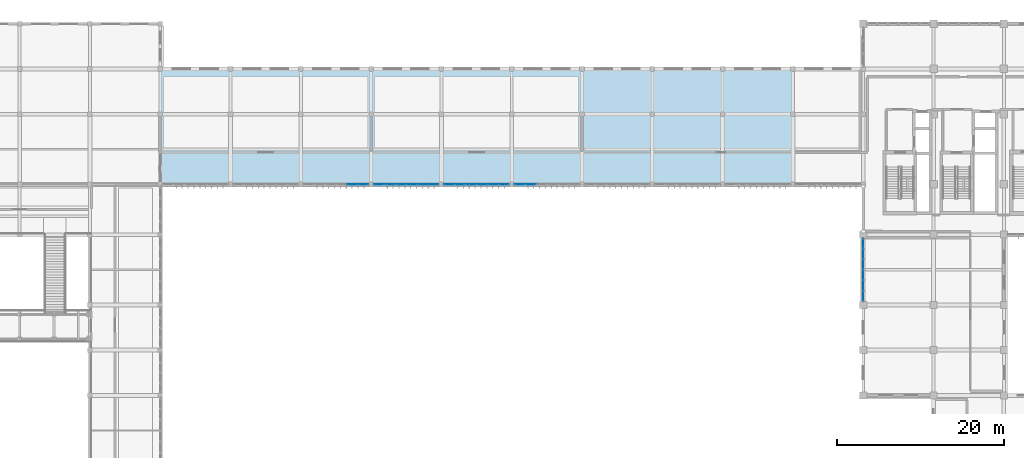
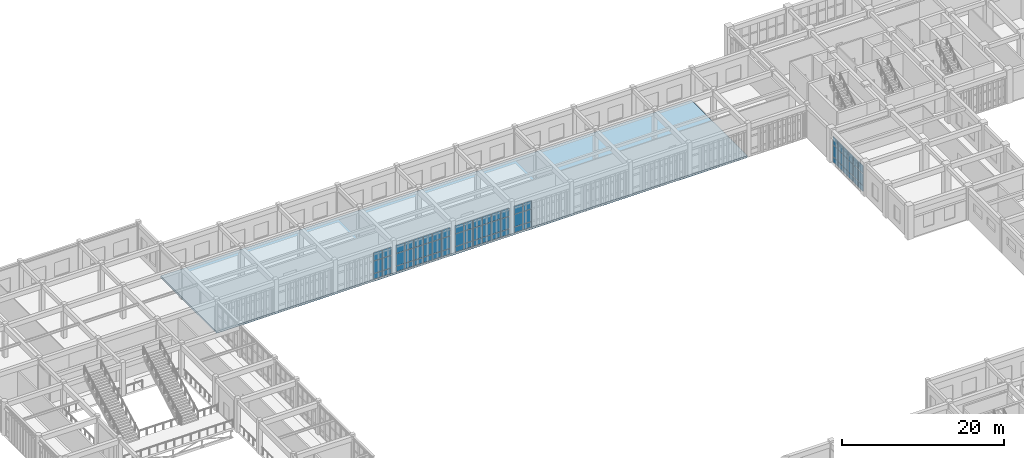
# One storey, part 74 of 106: 66 plates, 1 slab, 5 elements without a shape of their own.
"""IFC4 building model written with IfcOpenShell, lengths in metres."""

from ifc_helpers import new_model, si_unit, direction, frame, origin, origin_2d, place, context, subcontext, project, spatial, polyline, rectangle, outline, extrude, material, layer, layer_set, type_object, element, aggregate, save


model = new_model("IFC4")

# Units and contexts
model_context = context("Model", 3, precision=1e-05, world=origin(), true_north=direction((0.0, 1.0)))
body_context = subcontext(model_context, "Body", "Model", "MODEL_VIEW")
ifc_project = project(units=[si_unit("LENGTHUNIT", "METRE"), si_unit("AREAUNIT", "SQUARE_METRE"), si_unit("VOLUMEUNIT", "CUBIC_METRE"), si_unit("PLANEANGLEUNIT", "RADIAN"), si_unit("MASSUNIT", "GRAM", prefix="KILO")], contexts=[model_context])

# Site, building, storey
site_placement = place(None, origin())
site = spatial("IfcSite", under=ifc_project, at=site_placement, CompositionType="ELEMENT")
building_placement = place(site_placement, origin())
building = spatial("IfcBuilding", under=site, at=building_placement, Name="Krzemoval Escarpment Law Courts", CompositionType="ELEMENT")
storey_placement = place(building_placement, frame((0.0, 0.0, 5.10009765625)))
storey = spatial("IfcBuildingStorey", under=building, at=storey_placement, Name="L01", CompositionType="ELEMENT", Elevation=5.10009765625)

# Curtain wall, plates
ifc_material_1 = material(Name="Aluminium 6063-T6", Category="aluminium")
ifc_layer_1 = layer(ifc_material_1, 0.239990234375)
ifc_layer_set_1 = layer_set([ifc_layer_1], Name="Aluminium 6063-T6")
curtain_wall_type_1 = type_object("IfcCurtainWallType", Name="CW-CHMB-4800", PredefinedType="USERDEFINED", material=ifc_layer_set_1)
curtain_wall_1_placement = place(storey_placement, origin())
curtain_wall_1 = element("IfcCurtainWall", 1, at=curtain_wall_1_placement, inside=storey, type_object=curtain_wall_type_1, Name="Unitised Curtain Wall FCW-L01-045", ObjectType="UNITISED_CURTAIN_WALL", PredefinedType="USERDEFINED")
ifc_material_2 = material(Name="Triple Glazing IGU", Category="glass")
ifc_layer_2 = layer(ifc_material_2, 0.048095703125)
ifc_layer_set_2 = layer_set([ifc_layer_2], Name="Triple Glazing IGU")
plate_type_1 = type_object("IfcPlateType", Name="CWP-GLZ-48", PredefinedType="CURTAIN_PANEL", material=ifc_layer_set_2)
plate_1_placement = place(storey_placement, frame((126.0, 86.27294921875, 0.074951171875), z_axis=(0.0, 0.0, 1.0), x_axis=(0.0, 1.0, 0.0)))
plate_1 = element("IfcPlate", 2, at=plate_1_placement, type_object=plate_type_1, Name="FCW-L01-045 panel 1.1", PredefinedType="CURTAIN_PANEL", context=body_context, shape_type="SweptSolid", body=[
    extrude(rectangle(XDim=1.145751953125, YDim=0.048095703125, at=origin_2d()), origin(), (0.0, 0.0, 1.0), 0.78759765625),
])
plate_2_placement = place(storey_placement, frame((126.0, 86.27294921875, 0.937255859375), z_axis=(0.0, 0.0, 1.0), x_axis=(0.0, 1.0, 0.0)))
plate_2 = element("IfcPlate", 3, at=plate_2_placement, type_object=plate_type_1, Name="FCW-L01-045 panel 1.2", PredefinedType="CURTAIN_PANEL", context=body_context, shape_type="SweptSolid", body=[
    extrude(rectangle(XDim=1.145751953125, YDim=0.048095703125, at=origin_2d()), origin(), (0.0, 0.0, 1.0), 1.72509765625),
])
plate_3_placement = place(storey_placement, frame((126.0, 86.27294921875, 2.7373046875), z_axis=(0.0, 0.0, 1.0), x_axis=(0.0, 1.0, 0.0)))
plate_3 = element("IfcPlate", 4, at=plate_3_placement, type_object=plate_type_1, Name="FCW-L01-045 panel 1.3", PredefinedType="CURTAIN_PANEL", context=body_context, shape_type="SweptSolid", body=[
    extrude(rectangle(XDim=1.145751953125, YDim=0.048095703125, at=origin_2d()), origin(), (0.0, 0.0, 1.0), 1.20751953125),
])
plate_4_placement = place(storey_placement, frame((126.0, 87.512451171875, 0.074951171875), z_axis=(0.0, 0.0, 1.0), x_axis=(0.0, 1.0, 0.0)))
plate_4 = element("IfcPlate", 5, at=plate_4_placement, type_object=plate_type_1, Name="FCW-L01-045 panel 2.1", PredefinedType="CURTAIN_PANEL", context=body_context, shape_type="SweptSolid", body=[
    extrude(rectangle(XDim=1.183349609375, YDim=0.048095703125, at=origin_2d()), origin(), (0.0, 0.0, 1.0), 0.78759765625),
])
plate_5_placement = place(storey_placement, frame((126.0, 87.512451171875, 0.937255859375), z_axis=(0.0, 0.0, 1.0), x_axis=(0.0, 1.0, 0.0)))
plate_5 = element("IfcPlate", 6, at=plate_5_placement, type_object=plate_type_1, Name="FCW-L01-045 panel 2.2", PredefinedType="CURTAIN_PANEL", context=body_context, shape_type="SweptSolid", body=[
    extrude(rectangle(XDim=1.183349609375, YDim=0.048095703125, at=origin_2d()), origin(), (0.0, 0.0, 1.0), 1.72509765625),
])
plate_6_placement = place(storey_placement, frame((126.0, 87.512451171875, 2.7373046875), z_axis=(0.0, 0.0, 1.0), x_axis=(0.0, 1.0, 0.0)))
plate_6 = element("IfcPlate", 7, at=plate_6_placement, type_object=plate_type_1, Name="FCW-L01-045 panel 2.3", PredefinedType="CURTAIN_PANEL", context=body_context, shape_type="SweptSolid", body=[
    extrude(rectangle(XDim=1.183349609375, YDim=0.048095703125, at=origin_2d()), origin(), (0.0, 0.0, 1.0), 1.20751953125),
])
plate_7_placement = place(storey_placement, frame((126.0, 88.770751953125, 0.074951171875), z_axis=(0.0, 0.0, 1.0), x_axis=(0.0, 1.0, 0.0)))
plate_7 = element("IfcPlate", 8, at=plate_7_placement, type_object=plate_type_1, Name="FCW-L01-045 panel 3.1", PredefinedType="CURTAIN_PANEL", context=body_context, shape_type="SweptSolid", body=[
    extrude(rectangle(XDim=1.183349609375, YDim=0.048095703125, at=origin_2d()), origin(), (0.0, 0.0, 1.0), 0.78759765625),
])
plate_8_placement = place(storey_placement, frame((126.0, 88.770751953125, 0.937255859375), z_axis=(0.0, 0.0, 1.0), x_axis=(0.0, 1.0, 0.0)))
plate_8 = element("IfcPlate", 9, at=plate_8_placement, type_object=plate_type_1, Name="FCW-L01-045 panel 3.2", PredefinedType="CURTAIN_PANEL", context=body_context, shape_type="SweptSolid", body=[
    extrude(rectangle(XDim=1.183349609375, YDim=0.048095703125, at=origin_2d()), origin(), (0.0, 0.0, 1.0), 1.72509765625),
])
plate_9_placement = place(storey_placement, frame((126.0, 88.770751953125, 2.7373046875), z_axis=(0.0, 0.0, 1.0), x_axis=(0.0, 1.0, 0.0)))
plate_9 = element("IfcPlate", 10, at=plate_9_placement, type_object=plate_type_1, Name="FCW-L01-045 panel 3.3", PredefinedType="CURTAIN_PANEL", context=body_context, shape_type="SweptSolid", body=[
    extrude(rectangle(XDim=1.183349609375, YDim=0.048095703125, at=origin_2d()), origin(), (0.0, 0.0, 1.0), 1.20751953125),
])
plate_10_placement = place(storey_placement, frame((126.0, 90.029052734375, 0.074951171875), z_axis=(0.0, 0.0, 1.0), x_axis=(0.0, 1.0, 0.0)))
plate_10 = element("IfcPlate", 11, at=plate_10_placement, type_object=plate_type_1, Name="FCW-L01-045 panel 4.1", PredefinedType="CURTAIN_PANEL", context=body_context, shape_type="SweptSolid", body=[
    extrude(rectangle(XDim=1.183349609375, YDim=0.048095703125, at=origin_2d()), origin(), (0.0, 0.0, 1.0), 0.78759765625),
])
plate_11_placement = place(storey_placement, frame((126.0, 90.029052734375, 0.937255859375), z_axis=(0.0, 0.0, 1.0), x_axis=(0.0, 1.0, 0.0)))
plate_11 = element("IfcPlate", 12, at=plate_11_placement, type_object=plate_type_1, Name="FCW-L01-045 panel 4.2", PredefinedType="CURTAIN_PANEL", context=body_context, shape_type="SweptSolid", body=[
    extrude(rectangle(XDim=1.183349609375, YDim=0.048095703125, at=origin_2d()), origin(), (0.0, 0.0, 1.0), 1.72509765625),
])
plate_12_placement = place(storey_placement, frame((126.0, 90.029052734375, 2.7373046875), z_axis=(0.0, 0.0, 1.0), x_axis=(0.0, 1.0, 0.0)))
plate_12 = element("IfcPlate", 13, at=plate_12_placement, type_object=plate_type_1, Name="FCW-L01-045 panel 4.3", PredefinedType="CURTAIN_PANEL", context=body_context, shape_type="SweptSolid", body=[
    extrude(rectangle(XDim=1.183349609375, YDim=0.048095703125, at=origin_2d()), origin(), (0.0, 0.0, 1.0), 1.20751953125),
])
plate_13_placement = place(storey_placement, frame((126.0, 91.28759765625, 0.074951171875), z_axis=(0.0, 0.0, 1.0), x_axis=(0.0, 1.0, 0.0)))
plate_13 = element("IfcPlate", 14, at=plate_13_placement, type_object=plate_type_1, Name="FCW-L01-045 panel 5.1", PredefinedType="CURTAIN_PANEL", context=body_context, shape_type="SweptSolid", body=[
    extrude(rectangle(XDim=1.183349609375, YDim=0.048095703125, at=origin_2d()), origin(), (0.0, 0.0, 1.0), 0.78759765625),
])
plate_14_placement = place(storey_placement, frame((126.0, 91.28759765625, 0.937255859375), z_axis=(0.0, 0.0, 1.0), x_axis=(0.0, 1.0, 0.0)))
plate_14 = element("IfcPlate", 15, at=plate_14_placement, type_object=plate_type_1, Name="FCW-L01-045 panel 5.2", PredefinedType="CURTAIN_PANEL", context=body_context, shape_type="SweptSolid", body=[
    extrude(rectangle(XDim=1.183349609375, YDim=0.048095703125, at=origin_2d()), origin(), (0.0, 0.0, 1.0), 1.72509765625),
])
plate_15_placement = place(storey_placement, frame((126.0, 91.28759765625, 2.7373046875), z_axis=(0.0, 0.0, 1.0), x_axis=(0.0, 1.0, 0.0)))
plate_15 = element("IfcPlate", 16, at=plate_15_placement, type_object=plate_type_1, Name="FCW-L01-045 panel 5.3", PredefinedType="CURTAIN_PANEL", context=body_context, shape_type="SweptSolid", body=[
    extrude(rectangle(XDim=1.183349609375, YDim=0.048095703125, at=origin_2d()), origin(), (0.0, 0.0, 1.0), 1.20751953125),
])
plate_16_placement = place(storey_placement, frame((126.0, 92.527099609375, 0.074951171875), z_axis=(0.0, 0.0, 1.0), x_axis=(0.0, 1.0, 0.0)))
plate_16 = element("IfcPlate", 17, at=plate_16_placement, type_object=plate_type_1, Name="FCW-L01-045 panel 6.1", PredefinedType="CURTAIN_PANEL", context=body_context, shape_type="SweptSolid", body=[
    extrude(rectangle(XDim=1.145751953125, YDim=0.048095703125, at=origin_2d()), origin(), (0.0, 0.0, 1.0), 0.78759765625),
])
plate_17_placement = place(storey_placement, frame((126.0, 92.527099609375, 0.937255859375), z_axis=(0.0, 0.0, 1.0), x_axis=(0.0, 1.0, 0.0)))
plate_17 = element("IfcPlate", 18, at=plate_17_placement, type_object=plate_type_1, Name="FCW-L01-045 panel 6.2", PredefinedType="CURTAIN_PANEL", context=body_context, shape_type="SweptSolid", body=[
    extrude(rectangle(XDim=1.145751953125, YDim=0.048095703125, at=origin_2d()), origin(), (0.0, 0.0, 1.0), 1.72509765625),
])
plate_18_placement = place(storey_placement, frame((126.0, 92.527099609375, 2.7373046875), z_axis=(0.0, 0.0, 1.0), x_axis=(0.0, 1.0, 0.0)))
plate_18 = element("IfcPlate", 19, at=plate_18_placement, type_object=plate_type_1, Name="FCW-L01-045 panel 6.3", PredefinedType="CURTAIN_PANEL", context=body_context, shape_type="SweptSolid", body=[
    extrude(rectangle(XDim=1.145751953125, YDim=0.048095703125, at=origin_2d()), origin(), (0.0, 0.0, 1.0), 1.20751953125),
])
aggregate(curtain_wall_1, [plate_1, plate_2, plate_3, plate_4, plate_5, plate_6, plate_7, plate_8, plate_9, plate_10, plate_11, plate_12, plate_13, plate_14, plate_15, plate_16, plate_17, plate_18])

ifc_material_3 = material(Name="Aluminium 6063-T6", Category="aluminium")
ifc_layer_3 = layer(ifc_material_3, 0.280029296875)
ifc_layer_set_3 = layer_set([ifc_layer_3], Name="Aluminium 6063-T6")
curtain_wall_type_2 = type_object("IfcCurtainWallType", Name="CW-HALL-5100", PredefinedType="USERDEFINED", material=ifc_layer_set_3)
curtain_wall_2_placement = place(storey_placement, origin())
curtain_wall_2 = element("IfcCurtainWall", 20, at=curtain_wall_2_placement, inside=storey, type_object=curtain_wall_type_2, Name="Unitised Curtain Wall FCW-L01-050", ObjectType="UNITISED_CURTAIN_WALL", PredefinedType="USERDEFINED")
ifc_material_4 = material(Name="Triple Glazing IGU", Category="glass")
ifc_layer_4 = layer(ifc_material_4, 0.053955078125)
ifc_layer_set_4 = layer_set([ifc_layer_4], Name="Triple Glazing IGU")
plate_type_2 = type_object("IfcPlateType", Name="CWP-GLZ-54", PredefinedType="CURTAIN_PANEL", material=ifc_layer_set_4)
plate_19_placement = place(storey_placement, frame((86.237548828125, 99.60009765625, 0.0849609375), z_axis=(0.0, 0.0, 1.0), x_axis=(-1.0, 0.0, 0.0)))
plate_19 = element("IfcPlate", 21, at=plate_19_placement, type_object=plate_type_2, Name="FCW-L01-050 panel 5.1", PredefinedType="CURTAIN_PANEL", context=body_context, shape_type="SweptSolid", body=[
    extrude(rectangle(XDim=1.223388671875, YDim=0.053955078125, at=origin_2d()), origin(), (0.0, 0.0, 1.0), 0.7724609375),
])
plate_20_placement = place(storey_placement, frame((86.237548828125, 99.60009765625, 0.9423828125), z_axis=(0.0, 0.0, 1.0), x_axis=(-1.0, 0.0, 0.0)))
plate_20 = element("IfcPlate", 22, at=plate_20_placement, type_object=plate_type_2, Name="FCW-L01-050 panel 5.2", PredefinedType="CURTAIN_PANEL", context=body_context, shape_type="SweptSolid", body=[
    extrude(rectangle(XDim=1.223388671875, YDim=0.053955078125, at=origin_2d()), origin(), (0.0, 0.0, 1.0), 1.81494140625),
])
plate_21_placement = place(storey_placement, frame((86.237548828125, 99.60009765625, 2.842529296875), z_axis=(0.0, 0.0, 1.0), x_axis=(-1.0, 0.0, 0.0)))
plate_21 = element("IfcPlate", 23, at=plate_21_placement, type_object=plate_type_2, Name="FCW-L01-050 panel 5.3", PredefinedType="CURTAIN_PANEL", context=body_context, shape_type="SweptSolid", body=[
    extrude(rectangle(XDim=1.223388671875, YDim=0.053955078125, at=origin_2d()), origin(), (0.0, 0.0, 1.0), 1.1923828125),
])
plate_22_placement = place(storey_placement, frame((84.950439453125, 99.60009765625, 0.0849609375), z_axis=(0.0, 0.0, 1.0), x_axis=(-1.0, 0.0, 0.0)))
plate_22 = element("IfcPlate", 24, at=plate_22_placement, type_object=plate_type_2, Name="FCW-L01-050 panel 6.1", PredefinedType="CURTAIN_PANEL", context=body_context, shape_type="SweptSolid", body=[
    extrude(rectangle(XDim=1.180908203125, YDim=0.053955078125, at=origin_2d()), origin(), (0.0, 0.0, 1.0), 0.7724609375),
])
plate_23_placement = place(storey_placement, frame((84.950439453125, 99.60009765625, 0.9423828125), z_axis=(0.0, 0.0, 1.0), x_axis=(-1.0, 0.0, 0.0)))
plate_23 = element("IfcPlate", 25, at=plate_23_placement, type_object=plate_type_2, Name="FCW-L01-050 panel 6.2", PredefinedType="CURTAIN_PANEL", context=body_context, shape_type="SweptSolid", body=[
    extrude(rectangle(XDim=1.180908203125, YDim=0.053955078125, at=origin_2d()), origin(), (0.0, 0.0, 1.0), 1.81494140625),
])
plate_24_placement = place(storey_placement, frame((84.950439453125, 99.60009765625, 2.842529296875), z_axis=(0.0, 0.0, 1.0), x_axis=(-1.0, 0.0, 0.0)))
plate_24 = element("IfcPlate", 26, at=plate_24_placement, type_object=plate_type_2, Name="FCW-L01-050 panel 6.3", PredefinedType="CURTAIN_PANEL", context=body_context, shape_type="SweptSolid", body=[
    extrude(rectangle(XDim=1.180908203125, YDim=0.053955078125, at=origin_2d()), origin(), (0.0, 0.0, 1.0), 1.1923828125),
])
aggregate(curtain_wall_2, [plate_19, plate_20, plate_21, plate_22, plate_23, plate_24])

curtain_wall_3_placement = place(storey_placement, origin())
curtain_wall_3 = element("IfcCurtainWall", 27, at=curtain_wall_3_placement, inside=storey, type_object=curtain_wall_type_2, Name="Unitised Curtain Wall FCW-L01-051", ObjectType="UNITISED_CURTAIN_WALL", PredefinedType="USERDEFINED")
plate_25_placement = place(storey_placement, frame((83.049560546875, 99.60009765625, 0.0849609375), z_axis=(0.0, 0.0, 1.0), x_axis=(-1.0, 0.0, 0.0)))
plate_25 = element("IfcPlate", 28, at=plate_25_placement, type_object=plate_type_2, Name="FCW-L01-051 panel 1.1", PredefinedType="CURTAIN_PANEL", context=body_context, shape_type="SweptSolid", body=[
    extrude(rectangle(XDim=1.180908203125, YDim=0.053955078125, at=origin_2d()), origin(), (0.0, 0.0, 1.0), 0.7724609375),
])
plate_26_placement = place(storey_placement, frame((83.049560546875, 99.60009765625, 0.9423828125), z_axis=(0.0, 0.0, 1.0), x_axis=(-1.0, 0.0, 0.0)))
plate_26 = element("IfcPlate", 29, at=plate_26_placement, type_object=plate_type_2, Name="FCW-L01-051 panel 1.2", PredefinedType="CURTAIN_PANEL", context=body_context, shape_type="SweptSolid", body=[
    extrude(rectangle(XDim=1.180908203125, YDim=0.053955078125, at=origin_2d()), origin(), (0.0, 0.0, 1.0), 1.81494140625),
])
plate_27_placement = place(storey_placement, frame((83.049560546875, 99.60009765625, 2.842529296875), z_axis=(0.0, 0.0, 1.0), x_axis=(-1.0, 0.0, 0.0)))
plate_27 = element("IfcPlate", 30, at=plate_27_placement, type_object=plate_type_2, Name="FCW-L01-051 panel 1.3", PredefinedType="CURTAIN_PANEL", context=body_context, shape_type="SweptSolid", body=[
    extrude(rectangle(XDim=1.180908203125, YDim=0.053955078125, at=origin_2d()), origin(), (0.0, 0.0, 1.0), 1.1923828125),
])
plate_28_placement = place(storey_placement, frame((81.762451171875, 99.60009765625, 0.0849609375), z_axis=(0.0, 0.0, 1.0), x_axis=(-1.0, 0.0, 0.0)))
plate_28 = element("IfcPlate", 31, at=plate_28_placement, type_object=plate_type_2, Name="FCW-L01-051 panel 2.1", PredefinedType="CURTAIN_PANEL", context=body_context, shape_type="SweptSolid", body=[
    extrude(rectangle(XDim=1.223388671875, YDim=0.053955078125, at=origin_2d()), origin(), (0.0, 0.0, 1.0), 0.7724609375),
])
plate_29_placement = place(storey_placement, frame((81.762451171875, 99.60009765625, 0.9423828125), z_axis=(0.0, 0.0, 1.0), x_axis=(-1.0, 0.0, 0.0)))
plate_29 = element("IfcPlate", 32, at=plate_29_placement, type_object=plate_type_2, Name="FCW-L01-051 panel 2.2", PredefinedType="CURTAIN_PANEL", context=body_context, shape_type="SweptSolid", body=[
    extrude(rectangle(XDim=1.223388671875, YDim=0.053955078125, at=origin_2d()), origin(), (0.0, 0.0, 1.0), 1.81494140625),
])
plate_30_placement = place(storey_placement, frame((81.762451171875, 99.60009765625, 2.842529296875), z_axis=(0.0, 0.0, 1.0), x_axis=(-1.0, 0.0, 0.0)))
plate_30 = element("IfcPlate", 33, at=plate_30_placement, type_object=plate_type_2, Name="FCW-L01-051 panel 2.3", PredefinedType="CURTAIN_PANEL", context=body_context, shape_type="SweptSolid", body=[
    extrude(rectangle(XDim=1.223388671875, YDim=0.053955078125, at=origin_2d()), origin(), (0.0, 0.0, 1.0), 1.1923828125),
])
plate_31_placement = place(storey_placement, frame((80.4541015625, 99.60009765625, 0.0849609375), z_axis=(0.0, 0.0, 1.0), x_axis=(-1.0, 0.0, 0.0)))
plate_31 = element("IfcPlate", 34, at=plate_31_placement, type_object=plate_type_2, Name="FCW-L01-051 panel 3.1", PredefinedType="CURTAIN_PANEL", context=body_context, shape_type="SweptSolid", body=[
    extrude(rectangle(XDim=1.223388671875, YDim=0.053955078125, at=origin_2d()), origin(), (0.0, 0.0, 1.0), 0.7724609375),
])
plate_32_placement = place(storey_placement, frame((80.4541015625, 99.60009765625, 0.9423828125), z_axis=(0.0, 0.0, 1.0), x_axis=(-1.0, 0.0, 0.0)))
plate_32 = element("IfcPlate", 35, at=plate_32_placement, type_object=plate_type_2, Name="FCW-L01-051 panel 3.2", PredefinedType="CURTAIN_PANEL", context=body_context, shape_type="SweptSolid", body=[
    extrude(rectangle(XDim=1.223388671875, YDim=0.053955078125, at=origin_2d()), origin(), (0.0, 0.0, 1.0), 1.81494140625),
])
plate_33_placement = place(storey_placement, frame((80.4541015625, 99.60009765625, 2.842529296875), z_axis=(0.0, 0.0, 1.0), x_axis=(-1.0, 0.0, 0.0)))
plate_33 = element("IfcPlate", 36, at=plate_33_placement, type_object=plate_type_2, Name="FCW-L01-051 panel 3.3", PredefinedType="CURTAIN_PANEL", context=body_context, shape_type="SweptSolid", body=[
    extrude(rectangle(XDim=1.223388671875, YDim=0.053955078125, at=origin_2d()), origin(), (0.0, 0.0, 1.0), 1.1923828125),
])
plate_34_placement = place(storey_placement, frame((79.145751953125, 99.60009765625, 0.0849609375), z_axis=(0.0, 0.0, 1.0), x_axis=(-1.0, 0.0, 0.0)))
plate_34 = element("IfcPlate", 37, at=plate_34_placement, type_object=plate_type_2, Name="FCW-L01-051 panel 4.1", PredefinedType="CURTAIN_PANEL", context=body_context, shape_type="SweptSolid", body=[
    extrude(rectangle(XDim=1.223388671875, YDim=0.053955078125, at=origin_2d()), origin(), (0.0, 0.0, 1.0), 0.7724609375),
])
plate_35_placement = place(storey_placement, frame((79.145751953125, 99.60009765625, 0.9423828125), z_axis=(0.0, 0.0, 1.0), x_axis=(-1.0, 0.0, 0.0)))
plate_35 = element("IfcPlate", 38, at=plate_35_placement, type_object=plate_type_2, Name="FCW-L01-051 panel 4.2", PredefinedType="CURTAIN_PANEL", context=body_context, shape_type="SweptSolid", body=[
    extrude(rectangle(XDim=1.223388671875, YDim=0.053955078125, at=origin_2d()), origin(), (0.0, 0.0, 1.0), 1.81494140625),
])
plate_36_placement = place(storey_placement, frame((79.145751953125, 99.60009765625, 2.842529296875), z_axis=(0.0, 0.0, 1.0), x_axis=(-1.0, 0.0, 0.0)))
plate_36 = element("IfcPlate", 39, at=plate_36_placement, type_object=plate_type_2, Name="FCW-L01-051 panel 4.3", PredefinedType="CURTAIN_PANEL", context=body_context, shape_type="SweptSolid", body=[
    extrude(rectangle(XDim=1.223388671875, YDim=0.053955078125, at=origin_2d()), origin(), (0.0, 0.0, 1.0), 1.1923828125),
])
plate_37_placement = place(storey_placement, frame((77.83740234375, 99.60009765625, 0.0849609375), z_axis=(0.0, 0.0, 1.0), x_axis=(-1.0, 0.0, 0.0)))
plate_37 = element("IfcPlate", 40, at=plate_37_placement, type_object=plate_type_2, Name="FCW-L01-051 panel 5.1", PredefinedType="CURTAIN_PANEL", context=body_context, shape_type="SweptSolid", body=[
    extrude(rectangle(XDim=1.223388671875, YDim=0.053955078125, at=origin_2d()), origin(), (0.0, 0.0, 1.0), 0.7724609375),
])
plate_38_placement = place(storey_placement, frame((77.83740234375, 99.60009765625, 0.9423828125), z_axis=(0.0, 0.0, 1.0), x_axis=(-1.0, 0.0, 0.0)))
plate_38 = element("IfcPlate", 41, at=plate_38_placement, type_object=plate_type_2, Name="FCW-L01-051 panel 5.2", PredefinedType="CURTAIN_PANEL", context=body_context, shape_type="SweptSolid", body=[
    extrude(rectangle(XDim=1.223388671875, YDim=0.053955078125, at=origin_2d()), origin(), (0.0, 0.0, 1.0), 1.81494140625),
])
plate_39_placement = place(storey_placement, frame((77.83740234375, 99.60009765625, 2.842529296875), z_axis=(0.0, 0.0, 1.0), x_axis=(-1.0, 0.0, 0.0)))
plate_39 = element("IfcPlate", 42, at=plate_39_placement, type_object=plate_type_2, Name="FCW-L01-051 panel 5.3", PredefinedType="CURTAIN_PANEL", context=body_context, shape_type="SweptSolid", body=[
    extrude(rectangle(XDim=1.223388671875, YDim=0.053955078125, at=origin_2d()), origin(), (0.0, 0.0, 1.0), 1.1923828125),
])
plate_40_placement = place(storey_placement, frame((76.550537109375, 99.60009765625, 0.0849609375), z_axis=(0.0, 0.0, 1.0), x_axis=(-1.0, 0.0, 0.0)))
plate_40 = element("IfcPlate", 43, at=plate_40_placement, type_object=plate_type_2, Name="FCW-L01-051 panel 6.1", PredefinedType="CURTAIN_PANEL", context=body_context, shape_type="SweptSolid", body=[
    extrude(rectangle(XDim=1.180908203125, YDim=0.053955078125, at=origin_2d()), origin(), (0.0, 0.0, 1.0), 0.7724609375),
])
plate_41_placement = place(storey_placement, frame((76.550537109375, 99.60009765625, 0.9423828125), z_axis=(0.0, 0.0, 1.0), x_axis=(-1.0, 0.0, 0.0)))
plate_41 = element("IfcPlate", 44, at=plate_41_placement, type_object=plate_type_2, Name="FCW-L01-051 panel 6.2", PredefinedType="CURTAIN_PANEL", context=body_context, shape_type="SweptSolid", body=[
    extrude(rectangle(XDim=1.180908203125, YDim=0.053955078125, at=origin_2d()), origin(), (0.0, 0.0, 1.0), 1.81494140625),
])
plate_42_placement = place(storey_placement, frame((76.550537109375, 99.60009765625, 2.842529296875), z_axis=(0.0, 0.0, 1.0), x_axis=(-1.0, 0.0, 0.0)))
plate_42 = element("IfcPlate", 45, at=plate_42_placement, type_object=plate_type_2, Name="FCW-L01-051 panel 6.3", PredefinedType="CURTAIN_PANEL", context=body_context, shape_type="SweptSolid", body=[
    extrude(rectangle(XDim=1.180908203125, YDim=0.053955078125, at=origin_2d()), origin(), (0.0, 0.0, 1.0), 1.1923828125),
])
aggregate(curtain_wall_3, [plate_25, plate_26, plate_27, plate_28, plate_29, plate_30, plate_31, plate_32, plate_33, plate_34, plate_35, plate_36, plate_37, plate_38, plate_39, plate_40, plate_41, plate_42])

curtain_wall_4_placement = place(storey_placement, origin())
curtain_wall_4 = element("IfcCurtainWall", 46, at=curtain_wall_4_placement, inside=storey, type_object=curtain_wall_type_2, Name="Unitised Curtain Wall FCW-L01-052", ObjectType="UNITISED_CURTAIN_WALL", PredefinedType="USERDEFINED")
plate_43_placement = place(storey_placement, frame((74.649658203125, 99.60009765625, 0.0849609375), z_axis=(0.0, 0.0, 1.0), x_axis=(-1.0, 0.0, 0.0)))
plate_43 = element("IfcPlate", 47, at=plate_43_placement, type_object=plate_type_2, Name="FCW-L01-052 panel 1.1", PredefinedType="CURTAIN_PANEL", context=body_context, shape_type="SweptSolid", body=[
    extrude(rectangle(XDim=1.180908203125, YDim=0.053955078125, at=origin_2d()), origin(), (0.0, 0.0, 1.0), 0.7724609375),
])
plate_44_placement = place(storey_placement, frame((74.649658203125, 99.60009765625, 0.9423828125), z_axis=(0.0, 0.0, 1.0), x_axis=(-1.0, 0.0, 0.0)))
plate_44 = element("IfcPlate", 48, at=plate_44_placement, type_object=plate_type_2, Name="FCW-L01-052 panel 1.2", PredefinedType="CURTAIN_PANEL", context=body_context, shape_type="SweptSolid", body=[
    extrude(rectangle(XDim=1.180908203125, YDim=0.053955078125, at=origin_2d()), origin(), (0.0, 0.0, 1.0), 1.81494140625),
])
plate_45_placement = place(storey_placement, frame((74.649658203125, 99.60009765625, 2.842529296875), z_axis=(0.0, 0.0, 1.0), x_axis=(-1.0, 0.0, 0.0)))
plate_45 = element("IfcPlate", 49, at=plate_45_placement, type_object=plate_type_2, Name="FCW-L01-052 panel 1.3", PredefinedType="CURTAIN_PANEL", context=body_context, shape_type="SweptSolid", body=[
    extrude(rectangle(XDim=1.180908203125, YDim=0.053955078125, at=origin_2d()), origin(), (0.0, 0.0, 1.0), 1.1923828125),
])
plate_46_placement = place(storey_placement, frame((73.362548828125, 99.60009765625, 0.0849609375), z_axis=(0.0, 0.0, 1.0), x_axis=(-1.0, 0.0, 0.0)))
plate_46 = element("IfcPlate", 50, at=plate_46_placement, type_object=plate_type_2, Name="FCW-L01-052 panel 2.1", PredefinedType="CURTAIN_PANEL", context=body_context, shape_type="SweptSolid", body=[
    extrude(rectangle(XDim=1.223388671875, YDim=0.053955078125, at=origin_2d()), origin(), (0.0, 0.0, 1.0), 0.7724609375),
])
plate_47_placement = place(storey_placement, frame((73.362548828125, 99.60009765625, 0.9423828125), z_axis=(0.0, 0.0, 1.0), x_axis=(-1.0, 0.0, 0.0)))
plate_47 = element("IfcPlate", 51, at=plate_47_placement, type_object=plate_type_2, Name="FCW-L01-052 panel 2.2", PredefinedType="CURTAIN_PANEL", context=body_context, shape_type="SweptSolid", body=[
    extrude(rectangle(XDim=1.223388671875, YDim=0.053955078125, at=origin_2d()), origin(), (0.0, 0.0, 1.0), 1.81494140625),
])
plate_48_placement = place(storey_placement, frame((73.362548828125, 99.60009765625, 2.842529296875), z_axis=(0.0, 0.0, 1.0), x_axis=(-1.0, 0.0, 0.0)))
plate_48 = element("IfcPlate", 52, at=plate_48_placement, type_object=plate_type_2, Name="FCW-L01-052 panel 2.3", PredefinedType="CURTAIN_PANEL", context=body_context, shape_type="SweptSolid", body=[
    extrude(rectangle(XDim=1.223388671875, YDim=0.053955078125, at=origin_2d()), origin(), (0.0, 0.0, 1.0), 1.1923828125),
])
plate_49_placement = place(storey_placement, frame((72.05419921875, 99.60009765625, 0.0849609375), z_axis=(0.0, 0.0, 1.0), x_axis=(-1.0, 0.0, 0.0)))
plate_49 = element("IfcPlate", 53, at=plate_49_placement, type_object=plate_type_2, Name="FCW-L01-052 panel 3.1", PredefinedType="CURTAIN_PANEL", context=body_context, shape_type="SweptSolid", body=[
    extrude(rectangle(XDim=1.223388671875, YDim=0.053955078125, at=origin_2d()), origin(), (0.0, 0.0, 1.0), 0.7724609375),
])
plate_50_placement = place(storey_placement, frame((72.05419921875, 99.60009765625, 0.9423828125), z_axis=(0.0, 0.0, 1.0), x_axis=(-1.0, 0.0, 0.0)))
plate_50 = element("IfcPlate", 54, at=plate_50_placement, type_object=plate_type_2, Name="FCW-L01-052 panel 3.2", PredefinedType="CURTAIN_PANEL", context=body_context, shape_type="SweptSolid", body=[
    extrude(rectangle(XDim=1.223388671875, YDim=0.053955078125, at=origin_2d()), origin(), (0.0, 0.0, 1.0), 1.81494140625),
])
plate_51_placement = place(storey_placement, frame((72.05419921875, 99.60009765625, 2.842529296875), z_axis=(0.0, 0.0, 1.0), x_axis=(-1.0, 0.0, 0.0)))
plate_51 = element("IfcPlate", 55, at=plate_51_placement, type_object=plate_type_2, Name="FCW-L01-052 panel 3.3", PredefinedType="CURTAIN_PANEL", context=body_context, shape_type="SweptSolid", body=[
    extrude(rectangle(XDim=1.223388671875, YDim=0.053955078125, at=origin_2d()), origin(), (0.0, 0.0, 1.0), 1.1923828125),
])
plate_52_placement = place(storey_placement, frame((70.745849609375, 99.60009765625, 0.0849609375), z_axis=(0.0, 0.0, 1.0), x_axis=(-1.0, 0.0, 0.0)))
plate_52 = element("IfcPlate", 56, at=plate_52_placement, type_object=plate_type_2, Name="FCW-L01-052 panel 4.1", PredefinedType="CURTAIN_PANEL", context=body_context, shape_type="SweptSolid", body=[
    extrude(rectangle(XDim=1.223388671875, YDim=0.053955078125, at=origin_2d()), origin(), (0.0, 0.0, 1.0), 0.7724609375),
])
plate_53_placement = place(storey_placement, frame((70.745849609375, 99.60009765625, 0.9423828125), z_axis=(0.0, 0.0, 1.0), x_axis=(-1.0, 0.0, 0.0)))
plate_53 = element("IfcPlate", 57, at=plate_53_placement, type_object=plate_type_2, Name="FCW-L01-052 panel 4.2", PredefinedType="CURTAIN_PANEL", context=body_context, shape_type="SweptSolid", body=[
    extrude(rectangle(XDim=1.223388671875, YDim=0.053955078125, at=origin_2d()), origin(), (0.0, 0.0, 1.0), 1.81494140625),
])
plate_54_placement = place(storey_placement, frame((70.745849609375, 99.60009765625, 2.842529296875), z_axis=(0.0, 0.0, 1.0), x_axis=(-1.0, 0.0, 0.0)))
plate_54 = element("IfcPlate", 58, at=plate_54_placement, type_object=plate_type_2, Name="FCW-L01-052 panel 4.3", PredefinedType="CURTAIN_PANEL", context=body_context, shape_type="SweptSolid", body=[
    extrude(rectangle(XDim=1.223388671875, YDim=0.053955078125, at=origin_2d()), origin(), (0.0, 0.0, 1.0), 1.1923828125),
])
plate_55_placement = place(storey_placement, frame((69.4375, 99.60009765625, 0.0849609375), z_axis=(0.0, 0.0, 1.0), x_axis=(-1.0, 0.0, 0.0)))
plate_55 = element("IfcPlate", 59, at=plate_55_placement, type_object=plate_type_2, Name="FCW-L01-052 panel 5.1", PredefinedType="CURTAIN_PANEL", context=body_context, shape_type="SweptSolid", body=[
    extrude(rectangle(XDim=1.223388671875, YDim=0.053955078125, at=origin_2d()), origin(), (0.0, 0.0, 1.0), 0.7724609375),
])
plate_56_placement = place(storey_placement, frame((69.4375, 99.60009765625, 0.9423828125), z_axis=(0.0, 0.0, 1.0), x_axis=(-1.0, 0.0, 0.0)))
plate_56 = element("IfcPlate", 60, at=plate_56_placement, type_object=plate_type_2, Name="FCW-L01-052 panel 5.2", PredefinedType="CURTAIN_PANEL", context=body_context, shape_type="SweptSolid", body=[
    extrude(rectangle(XDim=1.223388671875, YDim=0.053955078125, at=origin_2d()), origin(), (0.0, 0.0, 1.0), 1.81494140625),
])
plate_57_placement = place(storey_placement, frame((69.4375, 99.60009765625, 2.842529296875), z_axis=(0.0, 0.0, 1.0), x_axis=(-1.0, 0.0, 0.0)))
plate_57 = element("IfcPlate", 61, at=plate_57_placement, type_object=plate_type_2, Name="FCW-L01-052 panel 5.3", PredefinedType="CURTAIN_PANEL", context=body_context, shape_type="SweptSolid", body=[
    extrude(rectangle(XDim=1.223388671875, YDim=0.053955078125, at=origin_2d()), origin(), (0.0, 0.0, 1.0), 1.1923828125),
])
plate_58_placement = place(storey_placement, frame((68.150390625, 99.60009765625, 0.0849609375), z_axis=(0.0, 0.0, 1.0), x_axis=(-1.0, 0.0, 0.0)))
plate_58 = element("IfcPlate", 62, at=plate_58_placement, type_object=plate_type_2, Name="FCW-L01-052 panel 6.1", PredefinedType="CURTAIN_PANEL", context=body_context, shape_type="SweptSolid", body=[
    extrude(rectangle(XDim=1.180908203125, YDim=0.053955078125, at=origin_2d()), origin(), (0.0, 0.0, 1.0), 0.7724609375),
])
plate_59_placement = place(storey_placement, frame((68.150390625, 99.60009765625, 0.9423828125), z_axis=(0.0, 0.0, 1.0), x_axis=(-1.0, 0.0, 0.0)))
plate_59 = element("IfcPlate", 63, at=plate_59_placement, type_object=plate_type_2, Name="FCW-L01-052 panel 6.2", PredefinedType="CURTAIN_PANEL", context=body_context, shape_type="SweptSolid", body=[
    extrude(rectangle(XDim=1.180908203125, YDim=0.053955078125, at=origin_2d()), origin(), (0.0, 0.0, 1.0), 1.81494140625),
])
plate_60_placement = place(storey_placement, frame((68.150390625, 99.60009765625, 2.842529296875), z_axis=(0.0, 0.0, 1.0), x_axis=(-1.0, 0.0, 0.0)))
plate_60 = element("IfcPlate", 64, at=plate_60_placement, type_object=plate_type_2, Name="FCW-L01-052 panel 6.3", PredefinedType="CURTAIN_PANEL", context=body_context, shape_type="SweptSolid", body=[
    extrude(rectangle(XDim=1.180908203125, YDim=0.053955078125, at=origin_2d()), origin(), (0.0, 0.0, 1.0), 1.1923828125),
])
aggregate(curtain_wall_4, [plate_43, plate_44, plate_45, plate_46, plate_47, plate_48, plate_49, plate_50, plate_51, plate_52, plate_53, plate_54, plate_55, plate_56, plate_57, plate_58, plate_59, plate_60])

curtain_wall_5_placement = place(storey_placement, origin())
curtain_wall_5 = element("IfcCurtainWall", 65, at=curtain_wall_5_placement, inside=storey, type_object=curtain_wall_type_2, Name="Unitised Curtain Wall FCW-L01-053", ObjectType="UNITISED_CURTAIN_WALL", PredefinedType="USERDEFINED")
plate_61_placement = place(storey_placement, frame((66.24951171875, 99.60009765625, 0.0849609375), z_axis=(0.0, 0.0, 1.0), x_axis=(-1.0, 0.0, 0.0)))
plate_61 = element("IfcPlate", 66, at=plate_61_placement, type_object=plate_type_2, Name="FCW-L01-053 panel 1.1", PredefinedType="CURTAIN_PANEL", context=body_context, shape_type="SweptSolid", body=[
    extrude(rectangle(XDim=1.180908203125, YDim=0.053955078125, at=origin_2d()), origin(), (0.0, 0.0, 1.0), 0.7724609375),
])
plate_62_placement = place(storey_placement, frame((66.24951171875, 99.60009765625, 0.9423828125), z_axis=(0.0, 0.0, 1.0), x_axis=(-1.0, 0.0, 0.0)))
plate_62 = element("IfcPlate", 67, at=plate_62_placement, type_object=plate_type_2, Name="FCW-L01-053 panel 1.2", PredefinedType="CURTAIN_PANEL", context=body_context, shape_type="SweptSolid", body=[
    extrude(rectangle(XDim=1.180908203125, YDim=0.053955078125, at=origin_2d()), origin(), (0.0, 0.0, 1.0), 1.81494140625),
])
plate_63_placement = place(storey_placement, frame((66.24951171875, 99.60009765625, 2.842529296875), z_axis=(0.0, 0.0, 1.0), x_axis=(-1.0, 0.0, 0.0)))
plate_63 = element("IfcPlate", 68, at=plate_63_placement, type_object=plate_type_2, Name="FCW-L01-053 panel 1.3", PredefinedType="CURTAIN_PANEL", context=body_context, shape_type="SweptSolid", body=[
    extrude(rectangle(XDim=1.180908203125, YDim=0.053955078125, at=origin_2d()), origin(), (0.0, 0.0, 1.0), 1.1923828125),
])
plate_64_placement = place(storey_placement, frame((64.96240234375, 99.60009765625, 0.0849609375), z_axis=(0.0, 0.0, 1.0), x_axis=(-1.0, 0.0, 0.0)))
plate_64 = element("IfcPlate", 69, at=plate_64_placement, type_object=plate_type_2, Name="FCW-L01-053 panel 2.1", PredefinedType="CURTAIN_PANEL", context=body_context, shape_type="SweptSolid", body=[
    extrude(rectangle(XDim=1.223388671875, YDim=0.053955078125, at=origin_2d()), origin(), (0.0, 0.0, 1.0), 0.7724609375),
])
plate_65_placement = place(storey_placement, frame((64.96240234375, 99.60009765625, 0.9423828125), z_axis=(0.0, 0.0, 1.0), x_axis=(-1.0, 0.0, 0.0)))
plate_65 = element("IfcPlate", 70, at=plate_65_placement, type_object=plate_type_2, Name="FCW-L01-053 panel 2.2", PredefinedType="CURTAIN_PANEL", context=body_context, shape_type="SweptSolid", body=[
    extrude(rectangle(XDim=1.223388671875, YDim=0.053955078125, at=origin_2d()), origin(), (0.0, 0.0, 1.0), 1.81494140625),
])
plate_66_placement = place(storey_placement, frame((64.96240234375, 99.60009765625, 2.842529296875), z_axis=(0.0, 0.0, 1.0), x_axis=(-1.0, 0.0, 0.0)))
plate_66 = element("IfcPlate", 71, at=plate_66_placement, type_object=plate_type_2, Name="FCW-L01-053 panel 2.3", PredefinedType="CURTAIN_PANEL", context=body_context, shape_type="SweptSolid", body=[
    extrude(rectangle(XDim=1.223388671875, YDim=0.053955078125, at=origin_2d()), origin(), (0.0, 0.0, 1.0), 1.1923828125),
])
aggregate(curtain_wall_5, [plate_61, plate_62, plate_63, plate_64, plate_65, plate_66])

# Slab
ifc_material_5 = material(Name="Concrete C50/60", Category="concrete")
ifc_layer_5 = layer(ifc_material_5, 0.280029296875)
ifc_layer_set_5 = layer_set([ifc_layer_5], Name="Concrete C50/60")
slab_type = type_object("IfcSlabType", Name="SL-PT-280", PredefinedType="FLOOR", material=ifc_layer_set_5)
slab_placement = place(storey_placement, frame((0.0, 0.0, -0.280029296875)))
element("IfcSlab", 72, at=slab_placement, inside=storey, type_object=slab_type, Name="Floor Slab SL-L01-V4-023", PredefinedType="FLOOR", context=body_context, shape_type="SweptSolid", body=[
    extrude(outline(polyline([(42.0400390625, 113.39990234375), (117.56005859375, 113.39990234375), (117.56005859375, 99.60009765625), (42.0400390625, 99.60009765625), (42.0400390625, 113.39990234375)])), origin(), (0.0, 0.0, 1.0), 0.280029296875),
])

save(model, "model.ifc")
